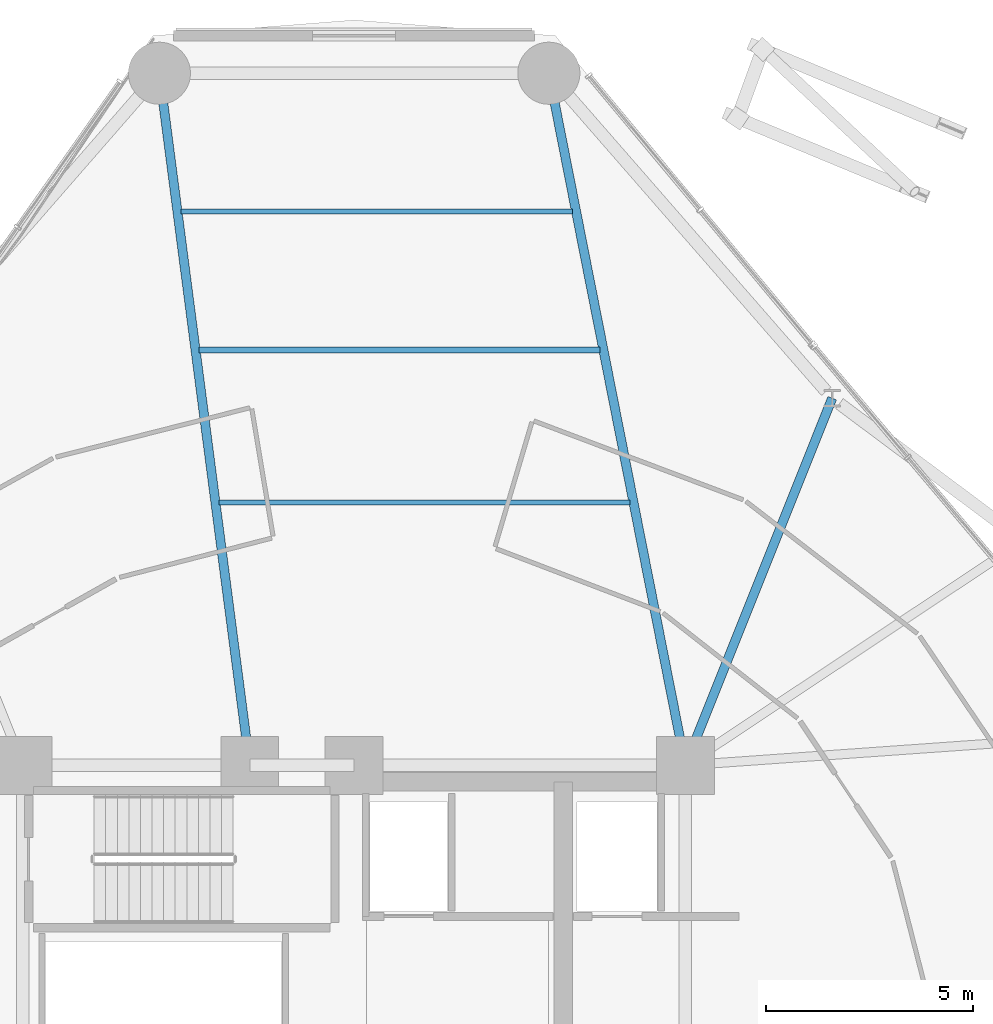
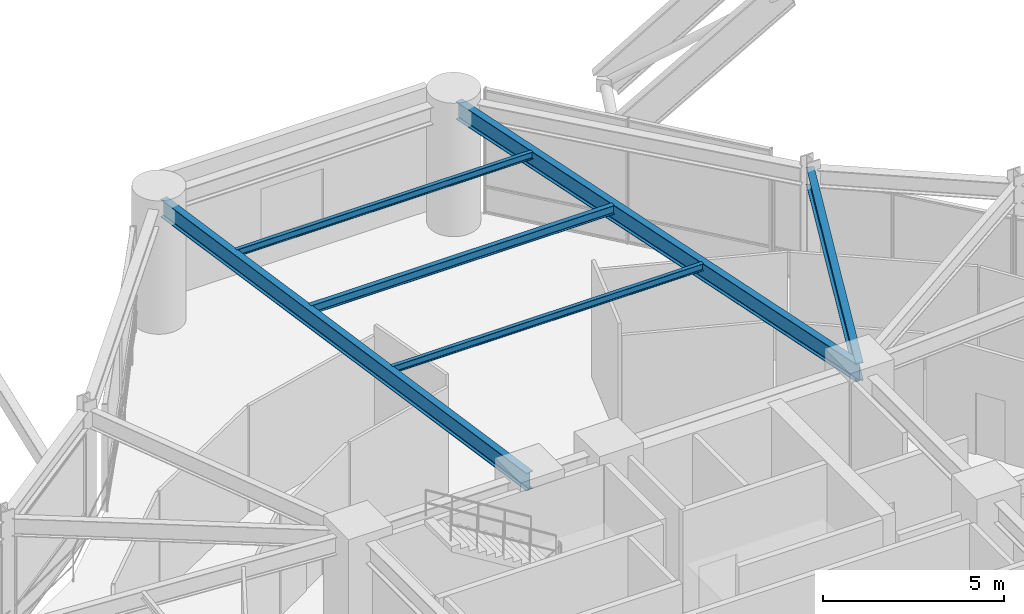
# One storey, part 34 of 55: 6 beams.
"""IFC4 building model written with IfcOpenShell, lengths in metres."""

from ifc_helpers import new_model, si_unit, direction, frame, origin, origin_2d, place, context, subcontext, project, spatial, i_section, extrude, material, material_profile, profile_set, type_object, element, save


model = new_model("IFC4")

# Units and contexts
model_context = context("Model", 3, precision=1e-05, world=origin(), true_north=direction((0.0, 1.0)))
body_context = subcontext(model_context, "Body", "Model", "MODEL_VIEW")
ifc_project = project(units=[si_unit("LENGTHUNIT", "METRE"), si_unit("AREAUNIT", "SQUARE_METRE"), si_unit("VOLUMEUNIT", "CUBIC_METRE"), si_unit("PLANEANGLEUNIT", "RADIAN"), si_unit("MASSUNIT", "GRAM", prefix="KILO")], contexts=[model_context])

# Site, building, storey
site_placement = place(None, origin())
site = spatial("IfcSite", under=ifc_project, at=site_placement, CompositionType="ELEMENT")
building_placement = place(site_placement, origin())
building = spatial("IfcBuilding", under=site, at=building_placement, Name="Kelanora Arch Commons", CompositionType="ELEMENT")
storey_placement = place(building_placement, frame((0.0, 0.0, 4.5)))
storey = spatial("IfcBuildingStorey", under=building, at=storey_placement, Name="L01", CompositionType="ELEMENT", Elevation=4.5)

# Beams
ifc_material = material(Name="Steel S355", Category="steel")
ifc_material_profile_1 = material_profile(ifc_material, i_section(OverallWidth=0.14990234375, OverallDepth=0.300048828125, WebThickness=0.007080078125, FlangeThickness=0.0107421875, FilletRadius=0.014892578125, at=origin_2d()), Name="IPE300")
ifc_profile_set_1 = profile_set([ifc_material_profile_1], Name="Steel S355")
beam_type_1 = type_object("IfcBeamType", Name="BM-JST-01", PredefinedType="JOIST", material=ifc_profile_set_1)
beam_1_placement = place(storey_placement, frame((79.936279296875, 75.028564453125, 4.050048828125), z_axis=(-1.0, 0.0, 0.0), x_axis=(0.0, -1.0, 0.0)))
element("IfcBeam", 1, at=beam_1_placement, inside=storey, type_object=beam_type_1, Name="Secondary Chord Joist BJB-08 L01", PredefinedType="JOIST", context=body_context, shape_type="SweptSolid", body=[
    extrude(i_section(OverallWidth=0.14990234375, OverallDepth=0.300048828125, WebThickness=0.007080078125, FlangeThickness=0.0107421875, FilletRadius=0.014892578125, at=origin_2d()), origin(), (0.0, 0.0, 1.0), 9.6806640625),
])
ifc_material_profile_2 = material_profile(ifc_material, i_section(OverallWidth=0.1201171875, OverallDepth=0.239990234375, WebThickness=0.006103515625, FlangeThickness=0.009765625, FilletRadius=0.014892578125, at=origin_2d()), Name="IPE240")
ifc_profile_set_2 = profile_set([ifc_material_profile_2], Name="Steel S355")
beam_type_2 = type_object("IfcBeamType", Name="BM-JST-02", PredefinedType="JOIST", material=ifc_profile_set_2)
beam_2_placement = place(storey_placement, frame((80.661865234375, 71.351318359375, 4.080078125), z_axis=(-1.0, 0.0, 0.0), x_axis=(0.0, -1.0, 0.0)))
element("IfcBeam", 2, at=beam_2_placement, inside=storey, type_object=beam_type_2, Name="Secondary Chord Joist BJA-08 L01", PredefinedType="JOIST", context=body_context, shape_type="SweptSolid", body=[
    extrude(i_section(OverallWidth=0.1201171875, OverallDepth=0.239990234375, WebThickness=0.006103515625, FlangeThickness=0.009765625, FilletRadius=0.014892578125, at=origin_2d()), origin(), (0.0, 0.0, 1.0), 9.92626953125),
])
beam_3_placement = place(storey_placement, frame((79.27685546875, 78.371337890625, 4.080078125), z_axis=(-1.0, 0.0, 0.0), x_axis=(0.0, -1.0, 0.0)))
element("IfcBeam", 3, at=beam_3_placement, inside=storey, type_object=beam_type_2, Name="Secondary Chord Joist BJC-08 L01", PredefinedType="JOIST", context=body_context, shape_type="SweptSolid", body=[
    extrude(i_section(OverallWidth=0.1201171875, OverallDepth=0.239990234375, WebThickness=0.006103515625, FlangeThickness=0.009765625, FilletRadius=0.014892578125, at=origin_2d()), origin(), (0.0, 0.0, 1.0), 9.457763671875),
])
ifc_material_profile_3 = material_profile(ifc_material, i_section(OverallWidth=0.219970703125, OverallDepth=0.60009765625, WebThickness=0.011962890625, FlangeThickness=0.01904296875, FilletRadius=0.02392578125, at=origin_2d()), Name="IPE600")
ifc_profile_set_3 = profile_set([ifc_material_profile_3], Name="Steel S355")
beam_type_3 = type_object("IfcBeamType", Name="BM-RAD-Z1", PredefinedType="BEAM", material=ifc_profile_set_3)
beam_4_placement = place(storey_placement, frame((82.0, 65.0, 3.89990234375), z_axis=(0.371306921468, 0.928510188458, 0.0), x_axis=(-0.928510188458, 0.371306921468, 0.0)))
element("IfcBeam", 4, at=beam_4_placement, inside=storey, type_object=beam_type_3, Name="Radial Floor Girder BR-06 L01", PredefinedType="BEAM", context=body_context, shape_type="SweptSolid", body=[
    extrude(i_section(OverallWidth=0.219970703125, OverallDepth=0.60009765625, WebThickness=0.011962890625, FlangeThickness=0.01904296875, FilletRadius=0.02392578125, at=origin_2d()), origin(), (0.0, 0.0, 1.0), 9.549072265625),
])
beam_5_placement = place(storey_placement, frame((82.0, 65.0, 3.89990234375), z_axis=(-0.193555256292, 0.981089375522, 0.0), x_axis=(-0.981089375522, -0.193555256292, 0.0)))
element("IfcBeam", 5, at=beam_5_placement, inside=storey, type_object=beam_type_3, Name="Radial Floor Girder BR-08 L01", PredefinedType="BEAM", context=body_context, shape_type="SweptSolid", body=[
    extrude(i_section(OverallWidth=0.219970703125, OverallDepth=0.60009765625, WebThickness=0.011962890625, FlangeThickness=0.01904296875, FilletRadius=0.02392578125, at=origin_2d()), origin(), (0.0, 0.0, 1.0), 16.81640625),
])
beam_6_placement = place(storey_placement, frame((71.47998046875, 65.0, 3.89990234375), z_axis=(-0.129465914729, 0.991583872864, 0.0), x_axis=(-0.991583872864, -0.129465914729, 0.0)))
element("IfcBeam", 6, at=beam_6_placement, inside=storey, type_object=beam_type_3, Name="Radial Floor Girder BR-10 L01", PredefinedType="BEAM", context=body_context, shape_type="SweptSolid", body=[
    extrude(i_section(OverallWidth=0.219970703125, OverallDepth=0.60009765625, WebThickness=0.011962890625, FlangeThickness=0.01904296875, FilletRadius=0.02392578125, at=origin_2d()), origin(), (0.0, 0.0, 1.0), 16.635986328125),
])

save(model, "model.ifc")
